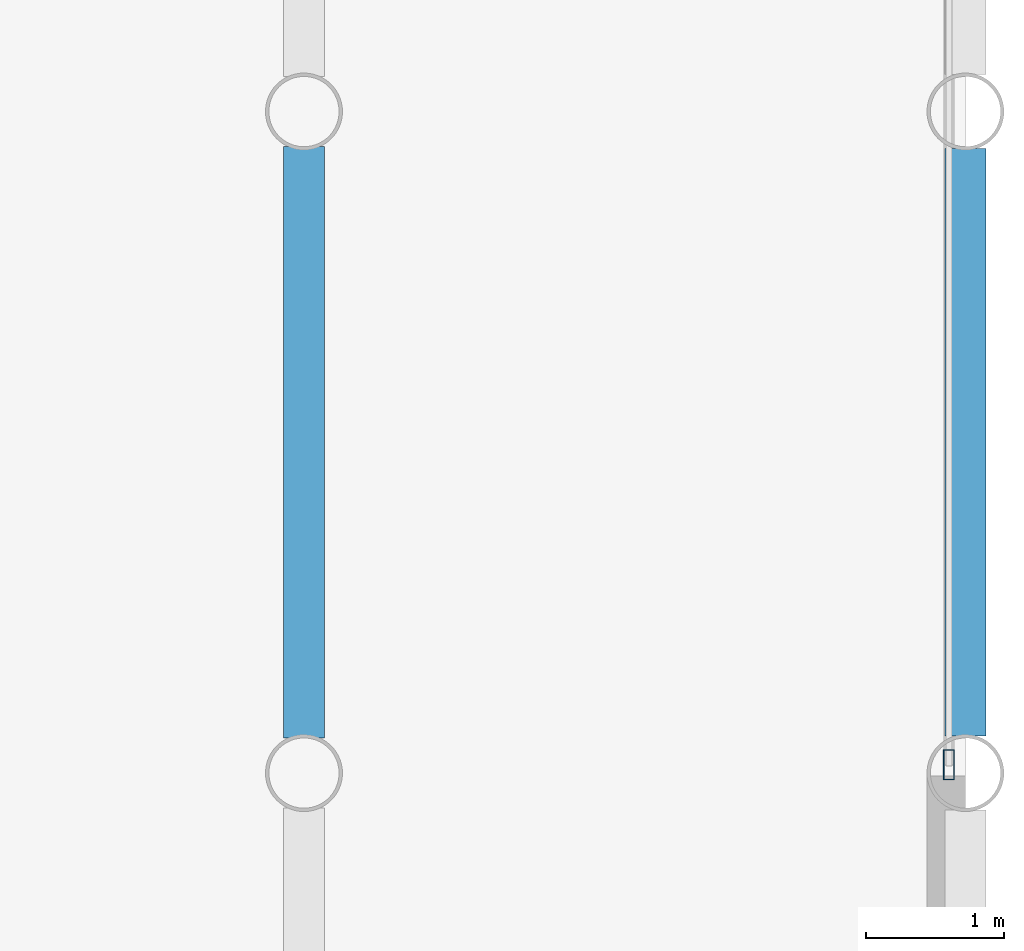
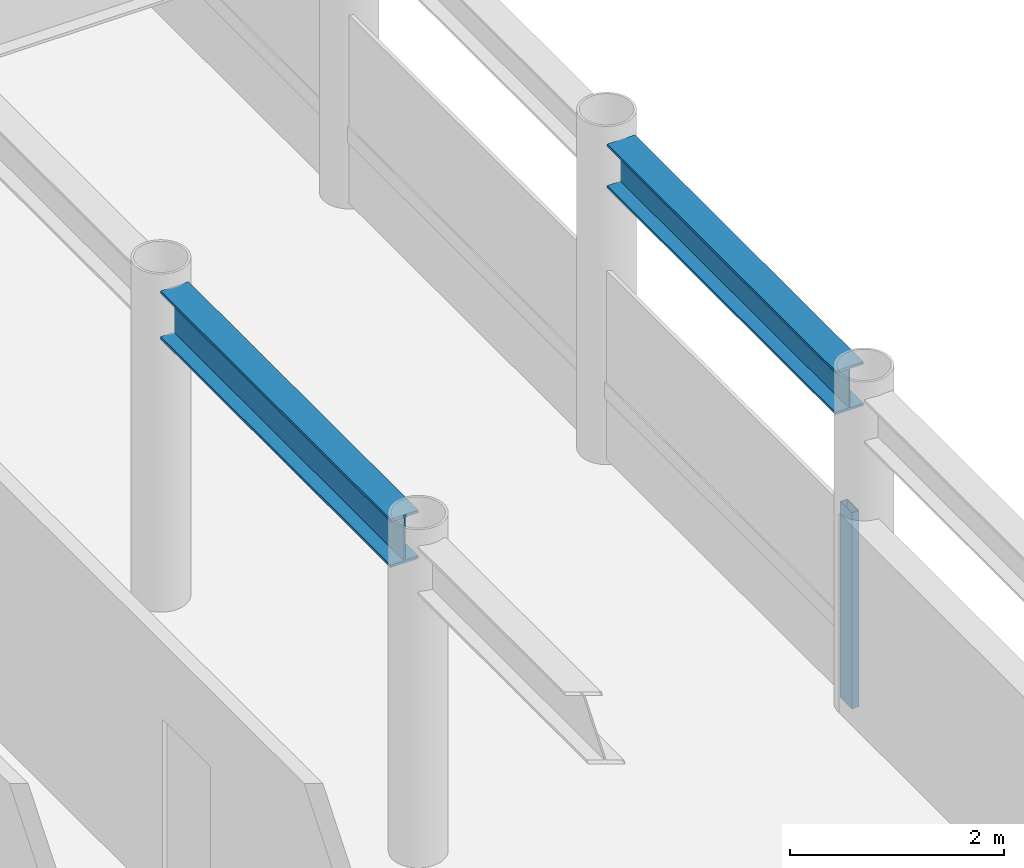
# One storey, part 10 of 24: 2 beams, 1 member, 1 element without a shape of its own.
"""IFC4 building model written with IfcOpenShell, lengths in metres."""

from ifc_helpers import new_model, si_unit, direction, frame, origin, origin_2d, place, context, subcontext, project, spatial, hollow_rectangle, i_section, extrude, material, layer, layer_set, material_profile, profile_set, type_object, element, aggregate, save


model = new_model("IFC4")

# Units and contexts
model_context = context("Model", 3, precision=1e-05, world=origin(), true_north=direction((0.0, 1.0)))
body_context = subcontext(model_context, "Body", "Model", "MODEL_VIEW")
ifc_project = project(units=[si_unit("LENGTHUNIT", "METRE"), si_unit("AREAUNIT", "SQUARE_METRE"), si_unit("VOLUMEUNIT", "CUBIC_METRE"), si_unit("PLANEANGLEUNIT", "RADIAN"), si_unit("MASSUNIT", "GRAM", prefix="KILO")], contexts=[model_context])

# Site, building, storey
site_placement = place(None, origin())
site = spatial("IfcSite", under=ifc_project, at=site_placement, CompositionType="ELEMENT")
building_placement = place(site_placement, origin())
building = spatial("IfcBuilding", under=site, at=building_placement, Name="Kallvorn Hotel Tower", CompositionType="ELEMENT")
storey_placement = place(building_placement, frame((0.0, 0.0, 233.85009765625)))
storey = spatial("IfcBuildingStorey", under=building, at=storey_placement, Name="L58", CompositionType="ELEMENT", Elevation=233.85009765625)

# Beams
ifc_material_1 = material(Name="Structural steel S355JR", Category="steel")
ifc_material_profile_1 = material_profile(ifc_material_1, i_section(OverallWidth=0.300048828125, OverallDepth=0.5, WebThickness=0.014404296875, FlangeThickness=0.028076171875, at=origin_2d()), Name="HE 500 B")
ifc_profile_set_1 = profile_set([ifc_material_profile_1], Name="Structural steel S355JR")
beam_type_1 = type_object("IfcBeamType", Name="BM_HE500B", PredefinedType="SPANDREL", material=ifc_profile_set_1)
beam_1_placement = place(storey_placement, frame((33.60009765625, 0.26953125, 3.419921875), z_axis=(0.0, 1.0, 0.0), x_axis=(-1.0, 0.0, 0.0)))
element("IfcBeam", 1, at=beam_1_placement, inside=storey, type_object=beam_type_1, Name="L59 Perimeter Spandrel 185", PredefinedType="SPANDREL", context=body_context, shape_type="SweptSolid", body=[
    extrude(i_section(OverallWidth=0.300048828125, OverallDepth=0.5, WebThickness=0.014404296875, FlangeThickness=0.028076171875, at=origin_2d()), origin(), (0.0, 0.0, 1.0), 4.260986328125),
])
ifc_material_2 = material(Name="Structural steel S355JR", Category="steel")
ifc_material_profile_2 = material_profile(ifc_material_2, i_section(OverallWidth=0.300048828125, OverallDepth=0.550048828125, WebThickness=0.014892578125, FlangeThickness=0.029052734375, at=origin_2d()), Name="HE 550 B")
ifc_profile_set_2 = profile_set([ifc_material_profile_2], Name="Structural steel S355JR")
beam_type_2 = type_object("IfcBeamType", Name="BM_HE550B", PredefinedType="SPANDREL", material=ifc_profile_set_2)
beam_2_placement = place(storey_placement, frame((28.800048828125, 0.25439453125, 3.39501953125), z_axis=(0.0, 1.0, 0.0), x_axis=(-1.0, 0.0, 0.0)))
element("IfcBeam", 2, at=beam_2_placement, inside=storey, type_object=beam_type_2, Name="L59 Primary Y-Girder 146", PredefinedType="SPANDREL", context=body_context, shape_type="SweptSolid", body=[
    extrude(i_section(OverallWidth=0.300048828125, OverallDepth=0.550048828125, WebThickness=0.014892578125, FlangeThickness=0.029052734375, at=origin_2d()), origin(), (0.0, 0.0, 1.0), 4.291015625),
])

# Curtain wall, member
ifc_material_3 = material(Name="Thermally broken black-anodised aluminium AA 6063-T6", Category="aluminium")
ifc_layer = layer(ifc_material_3, 0.22998046875)
ifc_layer_set = layer_set([ifc_layer], Name="CW_SYS_5_HOTEL_HIGH")
curtain_wall_type = type_object("IfcCurtainWallType", Name="CW_SYS_5_HOTEL_HIGH", PredefinedType="USERDEFINED", material=ifc_layer_set)
curtain_wall_placement = place(storey_placement, origin())
curtain_wall = element("IfcCurtainWall", 3, at=curtain_wall_placement, inside=storey, type_object=curtain_wall_type, Name="L58 Dark-Glass Curtain Wall CW-L58-EN", ObjectType="UNITISED CURTAIN WALL", PredefinedType="USERDEFINED")
ifc_material_4 = material(Name="Thermally broken black-anodised aluminium AA 6063-T6", Category="aluminium")
ifc_material_profile_3 = material_profile(ifc_material_4, hollow_rectangle(XDim=0.080078125, YDim=0.219970703125, WallThickness=0.0048828125, at=origin_2d()), Name="MUL 220x80")
ifc_profile_set_3 = profile_set([ifc_material_profile_3], Name="Thermally broken black-anodised aluminium AA 6063-T6")
member_type = type_object("IfcMemberType", Name="CW_MULLION_220x80", PredefinedType="MULLION", material=ifc_profile_set_3)
member_placement = place(storey_placement, frame((33.47998046875, 0.06005859375, 0.02001953125), z_axis=(0.0, 0.0, 1.0), x_axis=(1.0, 0.0, 0.0)))
member = element("IfcMember", 4, at=member_placement, type_object=member_type, Name="CW-L58-EN Mullion 00", PredefinedType="MULLION", context=body_context, shape_type="SweptSolid", body=[
    extrude(hollow_rectangle(XDim=0.080078125, YDim=0.219970703125, WallThickness=0.0048828125, at=origin_2d()), origin(), (0.0, 0.0, 1.0), 2.22998046875),
])
aggregate(curtain_wall, [member])

save(model, "model.ifc")
